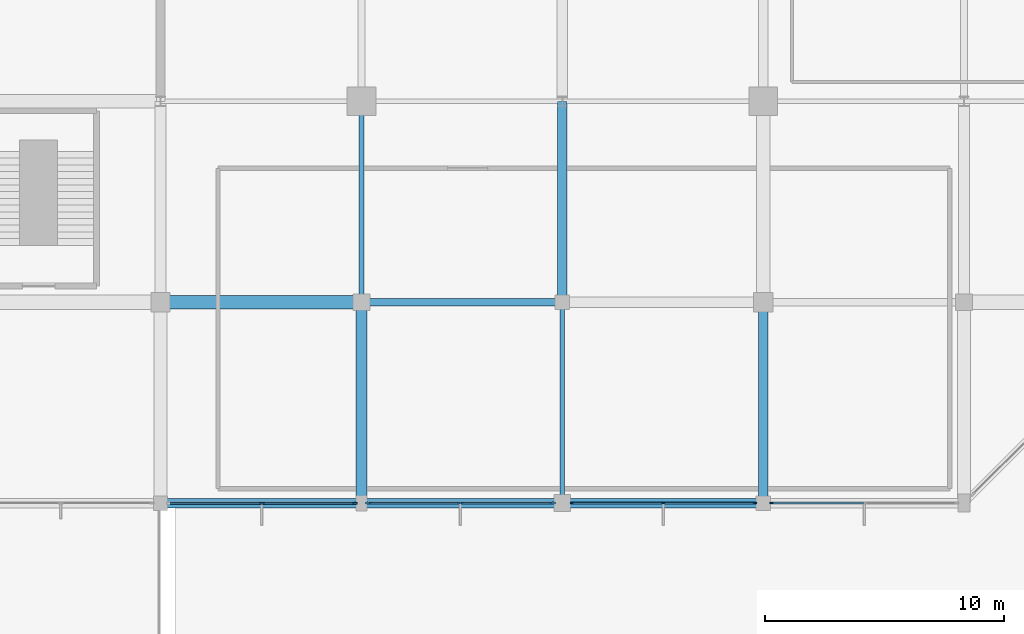
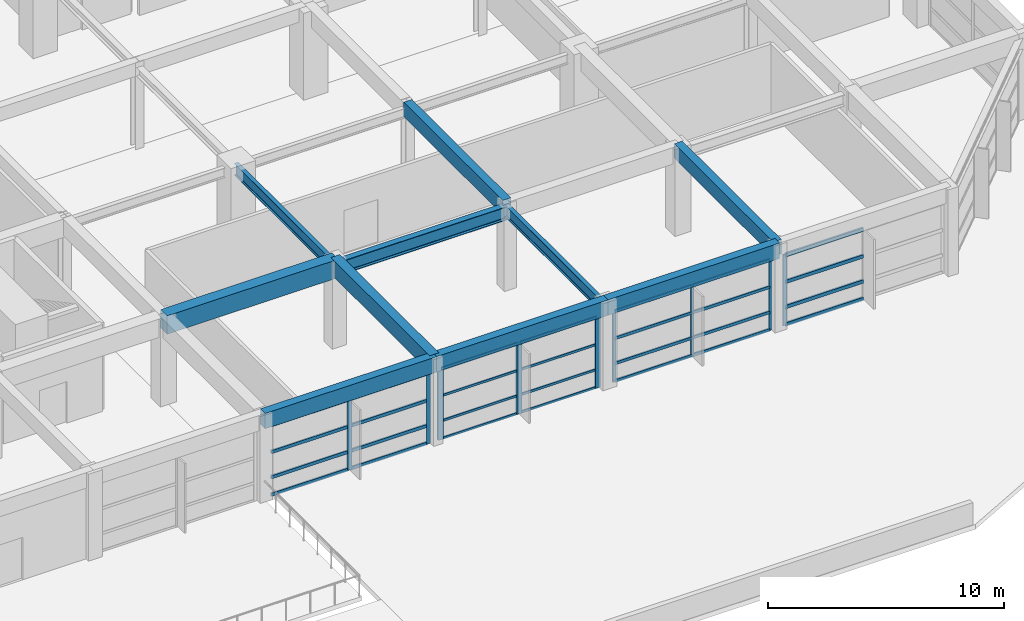
# One storey, part 28 of 60: 37 members, 10 beams, 4 elements without a shape of their own.
"""IFC4 building model written with IfcOpenShell, lengths in metres."""

from ifc_helpers import new_model, si_unit, direction, frame, origin, origin_2d, place, context, subcontext, project, spatial, rectangle, i_section, extrude, material, material_profile, profile_set, type_object, element, aggregate, save


model = new_model("IFC4")

# Units and contexts
model_context = context("Model", 3, precision=1e-05, world=origin(), true_north=direction((0.0, 1.0)))
body_context = subcontext(model_context, "Body", "Model", "MODEL_VIEW")
ifc_project = project(units=[si_unit("LENGTHUNIT", "METRE"), si_unit("AREAUNIT", "SQUARE_METRE"), si_unit("VOLUMEUNIT", "CUBIC_METRE"), si_unit("PLANEANGLEUNIT", "RADIAN"), si_unit("MASSUNIT", "GRAM", prefix="KILO")], contexts=[model_context])

# Site, building, storey
site_placement = place(None, origin())
site = spatial("IfcSite", under=ifc_project, at=site_placement, CompositionType="ELEMENT")
building_placement = place(site_placement, origin())
building = spatial("IfcBuilding", under=site, at=building_placement, Name="Xuanlan Plaza Opera House", CompositionType="ELEMENT")
storey_placement = place(building_placement, frame((0.0, 0.0, 9.89990234375)))
storey = spatial("IfcBuildingStorey", under=building, at=storey_placement, Name="L02", CompositionType="ELEMENT", Elevation=9.89990234375)

# Curtain wall, members
ifc_material_1 = material(Name="Anodised Aluminium 6063-T6 and Low-E Glass", Category="aluminium")
curtain_wall_type_1 = type_object("IfcCurtainWallType", Name="ENV-CW-CW-01", PredefinedType="USERDEFINED", material=ifc_material_1)
curtain_wall_1_placement = place(storey_placement, origin())
curtain_wall_1 = element("IfcCurtainWall", 1, at=curtain_wall_1_placement, inside=storey, type_object=curtain_wall_type_1, Name="Unitised Curtain Wall L02-017", ObjectType="UNITISED CURTAIN WALL", PredefinedType="USERDEFINED")
ifc_material_2 = material(Name="Anodised Aluminium 6063-T6", Category="aluminium")
ifc_material_profile_1 = material_profile(ifc_material_2, rectangle(XDim=0.06494140625, YDim=0.159912109375, at=origin_2d()), Name="ALU-M 65x160")
ifc_profile_set_1 = profile_set([ifc_material_profile_1], Name="Anodised Aluminium 6063-T6")
member_type_1 = type_object("IfcMemberType", Name="ENV-CWM-01", PredefinedType="MULLION", material=ifc_profile_set_1)
member_1_placement = place(storey_placement, frame((143.202392578125, 16.800048828125, 0.0), z_axis=(0.0, 0.0, 1.0), x_axis=(0.0, 1.0, 0.0)))
member_1 = element("IfcMember", 2, at=member_1_placement, type_object=member_type_1, Name="CW-01 mullion 1", PredefinedType="MULLION", context=body_context, shape_type="SweptSolid", body=[
    extrude(rectangle(XDim=0.06494140625, YDim=0.159912109375, at=origin_2d()), origin(), (0.0, 0.0, 1.0), 3.68017578125),
])
member_2_placement = place(storey_placement, frame((147.02490234375, 16.800048828125, 0.0), z_axis=(0.0, 0.0, 1.0), x_axis=(0.0, 1.0, 0.0)))
member_2 = element("IfcMember", 3, at=member_2_placement, type_object=member_type_1, Name="CW-01 mullion 2", PredefinedType="MULLION", context=body_context, shape_type="SweptSolid", body=[
    extrude(rectangle(XDim=0.06494140625, YDim=0.159912109375, at=origin_2d()), origin(), (0.0, 0.0, 1.0), 3.68017578125),
])
member_3_placement = place(storey_placement, frame((150.847412109375, 16.800048828125, 0.0), z_axis=(0.0, 0.0, 1.0), x_axis=(0.0, 1.0, 0.0)))
member_3 = element("IfcMember", 4, at=member_3_placement, type_object=member_type_1, Name="CW-01 mullion 3", PredefinedType="MULLION", context=body_context, shape_type="SweptSolid", body=[
    extrude(rectangle(XDim=0.06494140625, YDim=0.159912109375, at=origin_2d()), origin(), (0.0, 0.0, 1.0), 3.68017578125),
])

# Curtain wall, member
curtain_wall_type_2 = type_object("IfcCurtainWallType", Name="ENV-CW-CW-02", PredefinedType="USERDEFINED", material=ifc_material_1)
curtain_wall_2_placement = place(storey_placement, origin())
curtain_wall_2 = element("IfcCurtainWall", 5, at=curtain_wall_2_placement, inside=storey, type_object=curtain_wall_type_2, Name="Unitised Curtain Wall L02-018", ObjectType="UNITISED CURTAIN WALL", PredefinedType="USERDEFINED")
ifc_material_profile_2 = material_profile(ifc_material_2, rectangle(XDim=0.070068359375, YDim=0.179931640625, at=origin_2d()), Name="ALU-M 70x180")
ifc_profile_set_2 = profile_set([ifc_material_profile_2], Name="Anodised Aluminium 6063-T6")
member_type_2 = type_object("IfcMemberType", Name="ENV-CWM-02", PredefinedType="MULLION", material=ifc_profile_set_2)
member_4_placement = place(storey_placement, frame((151.554931640625, 16.800048828125, 0.0), z_axis=(0.0, 0.0, 1.0), x_axis=(0.0, 1.0, 0.0)))
member_4 = element("IfcMember", 6, at=member_4_placement, type_object=member_type_2, Name="CW-02 mullion 1", PredefinedType="MULLION", context=body_context, shape_type="SweptSolid", body=[
    extrude(rectangle(XDim=0.070068359375, YDim=0.179931640625, at=origin_2d()), origin(), (0.0, 0.0, 1.0), 3.68017578125),
])

# Curtain wall, members
curtain_wall_type_3 = type_object("IfcCurtainWallType", Name="ENV-CW-CW-06", PredefinedType="USERDEFINED", material=ifc_material_1)
curtain_wall_3_placement = place(storey_placement, origin())
curtain_wall_3 = element("IfcCurtainWall", 7, at=curtain_wall_3_placement, inside=storey, type_object=curtain_wall_type_3, Name="Acoustic Glazed Wall L02-015", ObjectType="ACOUSTIC GLAZED WALL", PredefinedType="USERDEFINED")
ifc_material_profile_3 = material_profile(ifc_material_2, rectangle(XDim=0.080078125, YDim=0.219970703125, at=origin_2d()), Name="ALU-M 80x220")
ifc_profile_set_3 = profile_set([ifc_material_profile_3], Name="Anodised Aluminium 6063-T6")
member_type_3 = type_object("IfcMemberType", Name="ENV-CWM-04", PredefinedType="MULLION", material=ifc_profile_set_3)
member_5_placement = place(storey_placement, frame((130.237548828125, 16.800048828125, 0.0), z_axis=(0.0, 0.0, 1.0), x_axis=(0.0, 1.0, 0.0)))
member_5 = element("IfcMember", 8, at=member_5_placement, type_object=member_type_3, Name="CW-06 mullion 2", PredefinedType="MULLION", context=body_context, shape_type="SweptSolid", body=[
    extrude(rectangle(XDim=0.080078125, YDim=0.219970703125, at=origin_2d()), origin(), (0.0, 0.0, 1.0), 3.68017578125),
])
member_6_placement = place(storey_placement, frame((134.114990234375, 16.800048828125, 0.0), z_axis=(0.0, 0.0, 1.0), x_axis=(0.0, 1.0, 0.0)))
member_6 = element("IfcMember", 9, at=member_6_placement, type_object=member_type_3, Name="CW-06 mullion 3", PredefinedType="MULLION", context=body_context, shape_type="SweptSolid", body=[
    extrude(rectangle(XDim=0.080078125, YDim=0.219970703125, at=origin_2d()), origin(), (0.0, 0.0, 1.0), 3.68017578125),
])

curtain_wall_type_4 = type_object("IfcCurtainWallType", Name="ENV-CW-CW-04", PredefinedType="USERDEFINED", material=ifc_material_1)
curtain_wall_4_placement = place(storey_placement, origin())
curtain_wall_4 = element("IfcCurtainWall", 10, at=curtain_wall_4_placement, inside=storey, type_object=curtain_wall_type_4, Name="Unitised Curtain Wall L02-016", ObjectType="UNITISED CURTAIN WALL", PredefinedType="USERDEFINED")
ifc_material_profile_4 = material_profile(ifc_material_2, rectangle(XDim=0.090087890625, YDim=0.25, at=origin_2d()), Name="ALU-M 90x250")
ifc_profile_set_4 = profile_set([ifc_material_profile_4], Name="Anodised Aluminium 6063-T6")
member_type_4 = type_object("IfcMemberType", Name="ENV-CWM-05", PredefinedType="MULLION", material=ifc_profile_set_4)
member_7_placement = place(storey_placement, frame((134.68994140625, 16.800048828125, 0.0), z_axis=(0.0, 0.0, 1.0), x_axis=(0.0, 1.0, 0.0)))
member_7 = element("IfcMember", 11, at=member_7_placement, type_object=member_type_4, Name="CW-04 mullion 1", PredefinedType="MULLION", context=body_context, shape_type="SweptSolid", body=[
    extrude(rectangle(XDim=0.090087890625, YDim=0.25, at=origin_2d()), origin(), (0.0, 0.0, 1.0), 3.68017578125),
])
member_8_placement = place(storey_placement, frame((138.53759765625, 16.800048828125, 0.0), z_axis=(0.0, 0.0, 1.0), x_axis=(0.0, 1.0, 0.0)))
member_8 = element("IfcMember", 12, at=member_8_placement, type_object=member_type_4, Name="CW-04 mullion 2", PredefinedType="MULLION", context=body_context, shape_type="SweptSolid", body=[
    extrude(rectangle(XDim=0.090087890625, YDim=0.25, at=origin_2d()), origin(), (0.0, 0.0, 1.0), 3.68017578125),
])
member_9_placement = place(storey_placement, frame((142.385009765625, 16.800048828125, 0.0), z_axis=(0.0, 0.0, 1.0), x_axis=(0.0, 1.0, 0.0)))
member_9 = element("IfcMember", 13, at=member_9_placement, type_object=member_type_4, Name="CW-04 mullion 3", PredefinedType="MULLION", context=body_context, shape_type="SweptSolid", body=[
    extrude(rectangle(XDim=0.090087890625, YDim=0.25, at=origin_2d()), origin(), (0.0, 0.0, 1.0), 3.68017578125),
])
ifc_material_profile_5 = material_profile(ifc_material_2, rectangle(XDim=0.06494140625, YDim=0.1201171875, at=origin_2d()), Name="ALU-T 65x120")
ifc_profile_set_5 = profile_set([ifc_material_profile_5], Name="Anodised Aluminium 6063-T6")
member_type_5 = type_object("IfcMemberType", Name="ENV-CWT-01", PredefinedType="USERDEFINED", material=ifc_profile_set_5)
member_10_placement = place(storey_placement, frame((134.735107421875, 16.800048828125, 0.03271484375), z_axis=(1.0, 0.0, 0.0), x_axis=(0.0, 1.0, 0.0)))
member_10 = element("IfcMember", 14, at=member_10_placement, type_object=member_type_5, Name="CW-04 transom 1.1", ObjectType="TRANSOM", PredefinedType="USERDEFINED", context=body_context, shape_type="SweptSolid", body=[
    extrude(rectangle(XDim=0.06494140625, YDim=0.1201171875, at=origin_2d()), origin(), (0.0, 0.0, 1.0), 3.75732421875),
])
member_11_placement = place(storey_placement, frame((134.735107421875, 16.800048828125, 0.9501953125), z_axis=(1.0, 0.0, 0.0), x_axis=(0.0, 1.0, 0.0)))
member_11 = element("IfcMember", 15, at=member_11_placement, type_object=member_type_5, Name="CW-04 transom 1.2", ObjectType="TRANSOM", PredefinedType="USERDEFINED", context=body_context, shape_type="SweptSolid", body=[
    extrude(rectangle(XDim=0.06494140625, YDim=0.1201171875, at=origin_2d()), origin(), (0.0, 0.0, 1.0), 3.75732421875),
])
member_12_placement = place(storey_placement, frame((134.735107421875, 16.800048828125, 2.25), z_axis=(1.0, 0.0, 0.0), x_axis=(0.0, 1.0, 0.0)))
member_12 = element("IfcMember", 16, at=member_12_placement, type_object=member_type_5, Name="CW-04 transom 1.3", ObjectType="TRANSOM", PredefinedType="USERDEFINED", context=body_context, shape_type="SweptSolid", body=[
    extrude(rectangle(XDim=0.06494140625, YDim=0.1201171875, at=origin_2d()), origin(), (0.0, 0.0, 1.0), 3.75732421875),
])
member_13_placement = place(storey_placement, frame((134.735107421875, 16.800048828125, 3.647705078125), z_axis=(1.0, 0.0, 0.0), x_axis=(0.0, 1.0, 0.0)))
member_13 = element("IfcMember", 17, at=member_13_placement, type_object=member_type_5, Name="CW-04 transom 1.4", ObjectType="TRANSOM", PredefinedType="USERDEFINED", context=body_context, shape_type="SweptSolid", body=[
    extrude(rectangle(XDim=0.06494140625, YDim=0.1201171875, at=origin_2d()), origin(), (0.0, 0.0, 1.0), 3.75732421875),
])
member_14_placement = place(storey_placement, frame((138.58251953125, 16.800048828125, 0.03271484375), z_axis=(1.0, 0.0, 0.0), x_axis=(0.0, 1.0, 0.0)))
member_14 = element("IfcMember", 18, at=member_14_placement, type_object=member_type_5, Name="CW-04 transom 2.1", ObjectType="TRANSOM", PredefinedType="USERDEFINED", context=body_context, shape_type="SweptSolid", body=[
    extrude(rectangle(XDim=0.06494140625, YDim=0.1201171875, at=origin_2d()), origin(), (0.0, 0.0, 1.0), 3.757568359375),
])
member_15_placement = place(storey_placement, frame((138.58251953125, 16.800048828125, 0.9501953125), z_axis=(1.0, 0.0, 0.0), x_axis=(0.0, 1.0, 0.0)))
member_15 = element("IfcMember", 19, at=member_15_placement, type_object=member_type_5, Name="CW-04 transom 2.2", ObjectType="TRANSOM", PredefinedType="USERDEFINED", context=body_context, shape_type="SweptSolid", body=[
    extrude(rectangle(XDim=0.06494140625, YDim=0.1201171875, at=origin_2d()), origin(), (0.0, 0.0, 1.0), 3.757568359375),
])
member_16_placement = place(storey_placement, frame((138.58251953125, 16.800048828125, 2.25), z_axis=(1.0, 0.0, 0.0), x_axis=(0.0, 1.0, 0.0)))
member_16 = element("IfcMember", 20, at=member_16_placement, type_object=member_type_5, Name="CW-04 transom 2.3", ObjectType="TRANSOM", PredefinedType="USERDEFINED", context=body_context, shape_type="SweptSolid", body=[
    extrude(rectangle(XDim=0.06494140625, YDim=0.1201171875, at=origin_2d()), origin(), (0.0, 0.0, 1.0), 3.757568359375),
])
member_17_placement = place(storey_placement, frame((138.58251953125, 16.800048828125, 3.647705078125), z_axis=(1.0, 0.0, 0.0), x_axis=(0.0, 1.0, 0.0)))
member_17 = element("IfcMember", 21, at=member_17_placement, type_object=member_type_5, Name="CW-04 transom 2.4", ObjectType="TRANSOM", PredefinedType="USERDEFINED", context=body_context, shape_type="SweptSolid", body=[
    extrude(rectangle(XDim=0.06494140625, YDim=0.1201171875, at=origin_2d()), origin(), (0.0, 0.0, 1.0), 3.757568359375),
])
aggregate(curtain_wall_4, [member_7, member_8, member_9, member_10, member_11, member_12, member_13, member_14, member_15, member_16, member_17])

# Member
ifc_material_profile_6 = material_profile(ifc_material_2, rectangle(XDim=0.074951171875, YDim=0.14990234375, at=origin_2d()), Name="ALU-T 75x150")
ifc_profile_set_6 = profile_set([ifc_material_profile_6], Name="Anodised Aluminium 6063-T6")
member_type_6 = type_object("IfcMemberType", Name="ENV-CWT-03", PredefinedType="USERDEFINED", material=ifc_profile_set_6)
member_18_placement = place(storey_placement, frame((143.235107421875, 16.800048828125, 0.03759765625), z_axis=(1.0, 0.0, 0.0), x_axis=(0.0, 1.0, 0.0)))
member_18 = element("IfcMember", 22, at=member_18_placement, type_object=member_type_6, Name="CW-01 transom 1.1", ObjectType="TRANSOM", PredefinedType="USERDEFINED", context=body_context, shape_type="SweptSolid", body=[
    extrude(rectangle(XDim=0.074951171875, YDim=0.14990234375, at=origin_2d()), origin(), (0.0, 0.0, 1.0), 3.75732421875),
])

member_19_placement = place(storey_placement, frame((143.235107421875, 16.800048828125, 0.9501953125), z_axis=(1.0, 0.0, 0.0), x_axis=(0.0, 1.0, 0.0)))
member_19 = element("IfcMember", 23, at=member_19_placement, type_object=member_type_6, Name="CW-01 transom 1.2", ObjectType="TRANSOM", PredefinedType="USERDEFINED", context=body_context, shape_type="SweptSolid", body=[
    extrude(rectangle(XDim=0.074951171875, YDim=0.14990234375, at=origin_2d()), origin(), (0.0, 0.0, 1.0), 3.75732421875),
])

member_20_placement = place(storey_placement, frame((143.235107421875, 16.800048828125, 2.25), z_axis=(1.0, 0.0, 0.0), x_axis=(0.0, 1.0, 0.0)))
member_20 = element("IfcMember", 24, at=member_20_placement, type_object=member_type_6, Name="CW-01 transom 1.3", ObjectType="TRANSOM", PredefinedType="USERDEFINED", context=body_context, shape_type="SweptSolid", body=[
    extrude(rectangle(XDim=0.074951171875, YDim=0.14990234375, at=origin_2d()), origin(), (0.0, 0.0, 1.0), 3.75732421875),
])

member_21_placement = place(storey_placement, frame((143.235107421875, 16.800048828125, 3.642578125), z_axis=(1.0, 0.0, 0.0), x_axis=(0.0, 1.0, 0.0)))
member_21 = element("IfcMember", 25, at=member_21_placement, type_object=member_type_6, Name="CW-01 transom 1.4", ObjectType="TRANSOM", PredefinedType="USERDEFINED", context=body_context, shape_type="SweptSolid", body=[
    extrude(rectangle(XDim=0.074951171875, YDim=0.14990234375, at=origin_2d()), origin(), (0.0, 0.0, 1.0), 3.75732421875),
])

member_22_placement = place(storey_placement, frame((147.0576171875, 16.800048828125, 0.03759765625), z_axis=(1.0, 0.0, 0.0), x_axis=(0.0, 1.0, 0.0)))
member_22 = element("IfcMember", 26, at=member_22_placement, type_object=member_type_6, Name="CW-01 transom 2.1", ObjectType="TRANSOM", PredefinedType="USERDEFINED", context=body_context, shape_type="SweptSolid", body=[
    extrude(rectangle(XDim=0.074951171875, YDim=0.14990234375, at=origin_2d()), origin(), (0.0, 0.0, 1.0), 3.75732421875),
])

member_23_placement = place(storey_placement, frame((147.0576171875, 16.800048828125, 0.9501953125), z_axis=(1.0, 0.0, 0.0), x_axis=(0.0, 1.0, 0.0)))
member_23 = element("IfcMember", 27, at=member_23_placement, type_object=member_type_6, Name="CW-01 transom 2.2", ObjectType="TRANSOM", PredefinedType="USERDEFINED", context=body_context, shape_type="SweptSolid", body=[
    extrude(rectangle(XDim=0.074951171875, YDim=0.14990234375, at=origin_2d()), origin(), (0.0, 0.0, 1.0), 3.75732421875),
])

member_24_placement = place(storey_placement, frame((147.0576171875, 16.800048828125, 2.25), z_axis=(1.0, 0.0, 0.0), x_axis=(0.0, 1.0, 0.0)))
member_24 = element("IfcMember", 28, at=member_24_placement, type_object=member_type_6, Name="CW-01 transom 2.3", ObjectType="TRANSOM", PredefinedType="USERDEFINED", context=body_context, shape_type="SweptSolid", body=[
    extrude(rectangle(XDim=0.074951171875, YDim=0.14990234375, at=origin_2d()), origin(), (0.0, 0.0, 1.0), 3.75732421875),
])

member_25_placement = place(storey_placement, frame((147.0576171875, 16.800048828125, 3.642578125), z_axis=(1.0, 0.0, 0.0), x_axis=(0.0, 1.0, 0.0)))
member_25 = element("IfcMember", 29, at=member_25_placement, type_object=member_type_6, Name="CW-01 transom 2.4", ObjectType="TRANSOM", PredefinedType="USERDEFINED", context=body_context, shape_type="SweptSolid", body=[
    extrude(rectangle(XDim=0.074951171875, YDim=0.14990234375, at=origin_2d()), origin(), (0.0, 0.0, 1.0), 3.75732421875),
])

aggregate(curtain_wall_1, [member_1, member_2, member_3, member_18, member_19, member_20, member_21, member_22, member_23, member_24, member_25])

ifc_material_profile_7 = material_profile(ifc_material_2, rectangle(XDim=0.080078125, YDim=0.1650390625, at=origin_2d()), Name="ALU-T 80x165")
ifc_profile_set_7 = profile_set([ifc_material_profile_7], Name="Anodised Aluminium 6063-T6")
member_type_7 = type_object("IfcMemberType", Name="ENV-CWT-04", PredefinedType="USERDEFINED", material=ifc_profile_set_7)
member_26_placement = place(storey_placement, frame((126.39990234375, 16.800048828125, 0.0400390625), z_axis=(1.0, 0.0, 0.0), x_axis=(0.0, 1.0, 0.0)))
member_26 = element("IfcMember", 30, at=member_26_placement, type_object=member_type_7, Name="CW-06 transom 1.1", ObjectType="TRANSOM", PredefinedType="USERDEFINED", context=body_context, shape_type="SweptSolid", body=[
    extrude(rectangle(XDim=0.080078125, YDim=0.1650390625, at=origin_2d()), origin(), (0.0, 0.0, 1.0), 3.797607421875),
])

member_27_placement = place(storey_placement, frame((126.39990234375, 16.800048828125, 0.9501953125), z_axis=(1.0, 0.0, 0.0), x_axis=(0.0, 1.0, 0.0)))
member_27 = element("IfcMember", 31, at=member_27_placement, type_object=member_type_7, Name="CW-06 transom 1.2", ObjectType="TRANSOM", PredefinedType="USERDEFINED", context=body_context, shape_type="SweptSolid", body=[
    extrude(rectangle(XDim=0.080078125, YDim=0.1650390625, at=origin_2d()), origin(), (0.0, 0.0, 1.0), 3.797607421875),
])

member_28_placement = place(storey_placement, frame((126.39990234375, 16.800048828125, 2.25), z_axis=(1.0, 0.0, 0.0), x_axis=(0.0, 1.0, 0.0)))
member_28 = element("IfcMember", 32, at=member_28_placement, type_object=member_type_7, Name="CW-06 transom 1.3", ObjectType="TRANSOM", PredefinedType="USERDEFINED", context=body_context, shape_type="SweptSolid", body=[
    extrude(rectangle(XDim=0.080078125, YDim=0.1650390625, at=origin_2d()), origin(), (0.0, 0.0, 1.0), 3.797607421875),
])

member_29_placement = place(storey_placement, frame((126.39990234375, 16.800048828125, 3.64013671875), z_axis=(1.0, 0.0, 0.0), x_axis=(0.0, 1.0, 0.0)))
member_29 = element("IfcMember", 33, at=member_29_placement, type_object=member_type_7, Name="CW-06 transom 1.4", ObjectType="TRANSOM", PredefinedType="USERDEFINED", context=body_context, shape_type="SweptSolid", body=[
    extrude(rectangle(XDim=0.080078125, YDim=0.1650390625, at=origin_2d()), origin(), (0.0, 0.0, 1.0), 3.797607421875),
])

member_30_placement = place(storey_placement, frame((130.277587890625, 16.800048828125, 0.0400390625), z_axis=(1.0, 0.0, 0.0), x_axis=(0.0, 1.0, 0.0)))
member_30 = element("IfcMember", 34, at=member_30_placement, type_object=member_type_7, Name="CW-06 transom 2.1", ObjectType="TRANSOM", PredefinedType="USERDEFINED", context=body_context, shape_type="SweptSolid", body=[
    extrude(rectangle(XDim=0.080078125, YDim=0.1650390625, at=origin_2d()), origin(), (0.0, 0.0, 1.0), 3.79736328125),
])

member_31_placement = place(storey_placement, frame((130.277587890625, 16.800048828125, 0.9501953125), z_axis=(1.0, 0.0, 0.0), x_axis=(0.0, 1.0, 0.0)))
member_31 = element("IfcMember", 35, at=member_31_placement, type_object=member_type_7, Name="CW-06 transom 2.2", ObjectType="TRANSOM", PredefinedType="USERDEFINED", context=body_context, shape_type="SweptSolid", body=[
    extrude(rectangle(XDim=0.080078125, YDim=0.1650390625, at=origin_2d()), origin(), (0.0, 0.0, 1.0), 3.79736328125),
])

member_32_placement = place(storey_placement, frame((130.277587890625, 16.800048828125, 2.25), z_axis=(1.0, 0.0, 0.0), x_axis=(0.0, 1.0, 0.0)))
member_32 = element("IfcMember", 36, at=member_32_placement, type_object=member_type_7, Name="CW-06 transom 2.3", ObjectType="TRANSOM", PredefinedType="USERDEFINED", context=body_context, shape_type="SweptSolid", body=[
    extrude(rectangle(XDim=0.080078125, YDim=0.1650390625, at=origin_2d()), origin(), (0.0, 0.0, 1.0), 3.79736328125),
])

member_33_placement = place(storey_placement, frame((130.277587890625, 16.800048828125, 3.64013671875), z_axis=(1.0, 0.0, 0.0), x_axis=(0.0, 1.0, 0.0)))
member_33 = element("IfcMember", 37, at=member_33_placement, type_object=member_type_7, Name="CW-06 transom 2.4", ObjectType="TRANSOM", PredefinedType="USERDEFINED", context=body_context, shape_type="SweptSolid", body=[
    extrude(rectangle(XDim=0.080078125, YDim=0.1650390625, at=origin_2d()), origin(), (0.0, 0.0, 1.0), 3.79736328125),
])

aggregate(curtain_wall_3, [member_5, member_6, member_26, member_27, member_28, member_29, member_30, member_31, member_32, member_33])

ifc_material_profile_8 = material_profile(ifc_material_2, rectangle(XDim=0.090087890625, YDim=0.179931640625, at=origin_2d()), Name="ALU-T 90x180")
ifc_profile_set_8 = profile_set([ifc_material_profile_8], Name="Anodised Aluminium 6063-T6")
member_type_8 = type_object("IfcMemberType", Name="ENV-CWT-05", PredefinedType="USERDEFINED", material=ifc_profile_set_8)
member_34_placement = place(storey_placement, frame((151.590087890625, 16.800048828125, 0.045166015625), z_axis=(1.0, 0.0, 0.0), x_axis=(0.0, 1.0, 0.0)))
member_34 = element("IfcMember", 38, at=member_34_placement, type_object=member_type_8, Name="CW-02 transom 1.1", ObjectType="TRANSOM", PredefinedType="USERDEFINED", context=body_context, shape_type="SweptSolid", body=[
    extrude(rectangle(XDim=0.090087890625, YDim=0.179931640625, at=origin_2d()), origin(), (0.0, 0.0, 1.0), 3.7998046875),
])

member_35_placement = place(storey_placement, frame((151.590087890625, 16.800048828125, 0.9501953125), z_axis=(1.0, 0.0, 0.0), x_axis=(0.0, 1.0, 0.0)))
member_35 = element("IfcMember", 39, at=member_35_placement, type_object=member_type_8, Name="CW-02 transom 1.2", ObjectType="TRANSOM", PredefinedType="USERDEFINED", context=body_context, shape_type="SweptSolid", body=[
    extrude(rectangle(XDim=0.090087890625, YDim=0.179931640625, at=origin_2d()), origin(), (0.0, 0.0, 1.0), 3.7998046875),
])

member_36_placement = place(storey_placement, frame((151.590087890625, 16.800048828125, 2.25), z_axis=(1.0, 0.0, 0.0), x_axis=(0.0, 1.0, 0.0)))
member_36 = element("IfcMember", 40, at=member_36_placement, type_object=member_type_8, Name="CW-02 transom 1.3", ObjectType="TRANSOM", PredefinedType="USERDEFINED", context=body_context, shape_type="SweptSolid", body=[
    extrude(rectangle(XDim=0.090087890625, YDim=0.179931640625, at=origin_2d()), origin(), (0.0, 0.0, 1.0), 3.7998046875),
])

member_37_placement = place(storey_placement, frame((151.590087890625, 16.800048828125, 3.635009765625), z_axis=(1.0, 0.0, 0.0), x_axis=(0.0, 1.0, 0.0)))
member_37 = element("IfcMember", 41, at=member_37_placement, type_object=member_type_8, Name="CW-02 transom 1.4", ObjectType="TRANSOM", PredefinedType="USERDEFINED", context=body_context, shape_type="SweptSolid", body=[
    extrude(rectangle(XDim=0.090087890625, YDim=0.179931640625, at=origin_2d()), origin(), (0.0, 0.0, 1.0), 3.7998046875),
])

aggregate(curtain_wall_2, [member_4, member_34, member_35, member_36, member_37])

# Beams
ifc_material_3 = material(Name="Concrete C50", Category="concrete")
ifc_material_profile_9 = material_profile(ifc_material_3, rectangle(XDim=0.550048828125, YDim=0.949951171875, at=origin_2d()), Name="RC-BM 550x950")
ifc_profile_set_9 = profile_set([ifc_material_profile_9], Name="Concrete C50")
beam_type_1 = type_object("IfcBeamType", Name="STR-BM-B-02", PredefinedType="BEAM", material=ifc_profile_set_9)
beam_1_placement = place(storey_placement, frame((126.0, 25.199951171875, 4.025146484375), z_axis=(1.0, 0.0, 0.0), x_axis=(0.0, 1.0, 0.0)))
element("IfcBeam", 42, at=beam_1_placement, inside=storey, type_object=beam_type_1, Name="Grid Beam X L02 16-17/D", PredefinedType="BEAM", context=body_context, shape_type="SweptSolid", body=[
    extrude(rectangle(XDim=0.550048828125, YDim=0.949951171875, at=origin_2d()), origin(), (0.0, 0.0, 1.0), 8.39990234375),
])
ifc_material_4 = material(Name="Concrete C40", Category="concrete")
ifc_material_profile_10 = material_profile(ifc_material_4, rectangle(XDim=0.449951171875, YDim=0.85009765625, at=origin_2d()), Name="RC-BM 450x850")
ifc_profile_set_10 = profile_set([ifc_material_profile_10], Name="Concrete C40")
beam_type_2 = type_object("IfcBeamType", Name="STR-BM-B-04", PredefinedType="BEAM", material=ifc_profile_set_10)
beam_2_placement = place(storey_placement, frame((134.39990234375, 16.800048828125, 4.0751953125), z_axis=(0.0, 1.0, 0.0), x_axis=(-1.0, 0.0, 0.0)))
element("IfcBeam", 43, at=beam_2_placement, inside=storey, type_object=beam_type_2, Name="Grid Beam Y L02 17/C-D", PredefinedType="BEAM", context=body_context, shape_type="SweptSolid", body=[
    extrude(rectangle(XDim=0.449951171875, YDim=0.85009765625, at=origin_2d()), origin(), (0.0, 0.0, 1.0), 8.39990234375),
])
ifc_material_profile_11 = material_profile(ifc_material_4, rectangle(XDim=0.39990234375, YDim=0.75, at=origin_2d()), Name="RC-BM 400x750")
ifc_profile_set_11 = profile_set([ifc_material_profile_11], Name="Concrete C40")
beam_type_3 = type_object("IfcBeamType", Name="STR-BM-B-06", PredefinedType="BEAM", material=ifc_profile_set_11)
beam_3_placement = place(storey_placement, frame((142.800048828125, 25.199951171875, 4.125), z_axis=(0.0, 1.0, 0.0), x_axis=(-1.0, 0.0, 0.0)))
element("IfcBeam", 44, at=beam_3_placement, inside=storey, type_object=beam_type_3, Name="Grid Beam Y L02 18/D-E", PredefinedType="BEAM", context=body_context, shape_type="SweptSolid", body=[
    extrude(rectangle(XDim=0.39990234375, YDim=0.75, at=origin_2d()), origin(), (0.0, 0.0, 1.0), 8.400146484375),
])
beam_4_placement = place(storey_placement, frame((151.199951171875, 16.800048828125, 4.125), z_axis=(0.0, 1.0, 0.0), x_axis=(-1.0, 0.0, 0.0)))
element("IfcBeam", 45, at=beam_4_placement, inside=storey, type_object=beam_type_3, Name="Grid Beam Y L02 19/C-D", PredefinedType="BEAM", context=body_context, shape_type="SweptSolid", body=[
    extrude(rectangle(XDim=0.39990234375, YDim=0.75, at=origin_2d()), origin(), (0.0, 0.0, 1.0), 8.39990234375),
])
ifc_material_5 = material(Name="Steel Q355B", Category="steel")
ifc_material_profile_12 = material_profile(ifc_material_5, i_section(OverallWidth=0.300048828125, OverallDepth=0.699951171875, WebThickness=0.012939453125, FlangeThickness=0.02392578125, FilletRadius=0.02392578125, at=origin_2d()), Name="HN 700x300x13x24")
ifc_profile_set_12 = profile_set([ifc_material_profile_12], Name="Steel Q355B")
beam_type_4 = type_object("IfcBeamType", Name="STR-BM-SB-03", PredefinedType="BEAM", material=ifc_profile_set_12)
beam_5_placement = place(storey_placement, frame((134.39990234375, 25.199951171875, 3.885009765625), z_axis=(1.0, 0.0, 0.0), x_axis=(0.0, 1.0, 0.0)))
element("IfcBeam", 46, at=beam_5_placement, inside=storey, type_object=beam_type_4, Name="Grid Beam X L02 17-18/D", PredefinedType="BEAM", context=body_context, shape_type="SweptSolid", body=[
    extrude(i_section(OverallWidth=0.300048828125, OverallDepth=0.699951171875, WebThickness=0.012939453125, FlangeThickness=0.02392578125, FilletRadius=0.02392578125, at=origin_2d()), origin(), (0.0, 0.0, 1.0), 8.400146484375),
])
ifc_material_profile_13 = material_profile(ifc_material_5, i_section(OverallWidth=0.199951171875, OverallDepth=0.60009765625, WebThickness=0.010986328125, FlangeThickness=0.01708984375, FilletRadius=0.02197265625, at=origin_2d()), Name="HN 600x200x11x17")
ifc_profile_set_13 = profile_set([ifc_material_profile_13], Name="Steel Q355B")
beam_type_5 = type_object("IfcBeamType", Name="STR-BM-SB-04", PredefinedType="BEAM", material=ifc_profile_set_13)
beam_6_placement = place(storey_placement, frame((134.39990234375, 25.199951171875, 3.93505859375), z_axis=(0.0, 1.0, 0.0), x_axis=(-1.0, 0.0, 0.0)))
element("IfcBeam", 47, at=beam_6_placement, inside=storey, type_object=beam_type_5, Name="Grid Beam Y L02 17/D-E", PredefinedType="BEAM", context=body_context, shape_type="SweptSolid", body=[
    extrude(i_section(OverallWidth=0.199951171875, OverallDepth=0.60009765625, WebThickness=0.010986328125, FlangeThickness=0.01708984375, FilletRadius=0.02197265625, at=origin_2d()), origin(), (0.0, 0.0, 1.0), 8.400146484375),
])
beam_7_placement = place(storey_placement, frame((142.800048828125, 16.800048828125, 3.93505859375), z_axis=(0.0, 1.0, 0.0), x_axis=(-1.0, 0.0, 0.0)))
element("IfcBeam", 48, at=beam_7_placement, inside=storey, type_object=beam_type_5, Name="Grid Beam Y L02 18/C-D", PredefinedType="BEAM", context=body_context, shape_type="SweptSolid", body=[
    extrude(i_section(OverallWidth=0.199951171875, OverallDepth=0.60009765625, WebThickness=0.010986328125, FlangeThickness=0.01708984375, FilletRadius=0.02197265625, at=origin_2d()), origin(), (0.0, 0.0, 1.0), 8.39990234375),
])
ifc_material_profile_14 = material_profile(ifc_material_4, rectangle(XDim=0.39990234375, YDim=0.800048828125, at=origin_2d()), Name="RC-SPD 400x800")
ifc_profile_set_14 = profile_set([ifc_material_profile_14], Name="Concrete C40")
beam_type_6 = type_object("IfcBeamType", Name="STR-BM-SP-01", PredefinedType="SPANDREL", material=ifc_profile_set_14)
beam_8_placement = place(storey_placement, frame((126.0, 16.800048828125, 4.10009765625), z_axis=(1.0, 0.0, 0.0), x_axis=(0.0, 1.0, 0.0)))
element("IfcBeam", 49, at=beam_8_placement, inside=storey, type_object=beam_type_6, Name="Grid Beam X L02 16-17/C", PredefinedType="SPANDREL", context=body_context, shape_type="SweptSolid", body=[
    extrude(rectangle(XDim=0.39990234375, YDim=0.800048828125, at=origin_2d()), origin(), (0.0, 0.0, 1.0), 8.39990234375),
])
beam_9_placement = place(storey_placement, frame((134.39990234375, 16.800048828125, 4.10009765625), z_axis=(1.0, 0.0, 0.0), x_axis=(0.0, 1.0, 0.0)))
element("IfcBeam", 50, at=beam_9_placement, inside=storey, type_object=beam_type_6, Name="Grid Beam X L02 17-18/C", PredefinedType="SPANDREL", context=body_context, shape_type="SweptSolid", body=[
    extrude(rectangle(XDim=0.39990234375, YDim=0.800048828125, at=origin_2d()), origin(), (0.0, 0.0, 1.0), 8.400146484375),
])
beam_10_placement = place(storey_placement, frame((142.800048828125, 16.800048828125, 4.10009765625), z_axis=(1.0, 0.0, 0.0), x_axis=(0.0, 1.0, 0.0)))
element("IfcBeam", 51, at=beam_10_placement, inside=storey, type_object=beam_type_6, Name="Grid Beam X L02 18-19/C", PredefinedType="SPANDREL", context=body_context, shape_type="SweptSolid", body=[
    extrude(rectangle(XDim=0.39990234375, YDim=0.800048828125, at=origin_2d()), origin(), (0.0, 0.0, 1.0), 8.39990234375),
])

save(model, "model.ifc")
